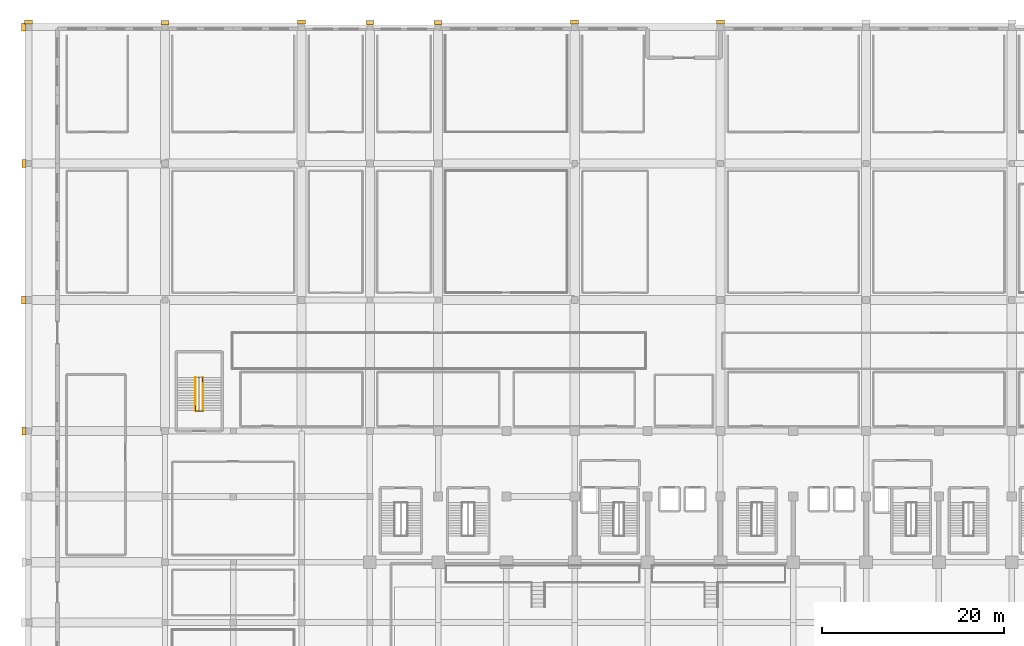
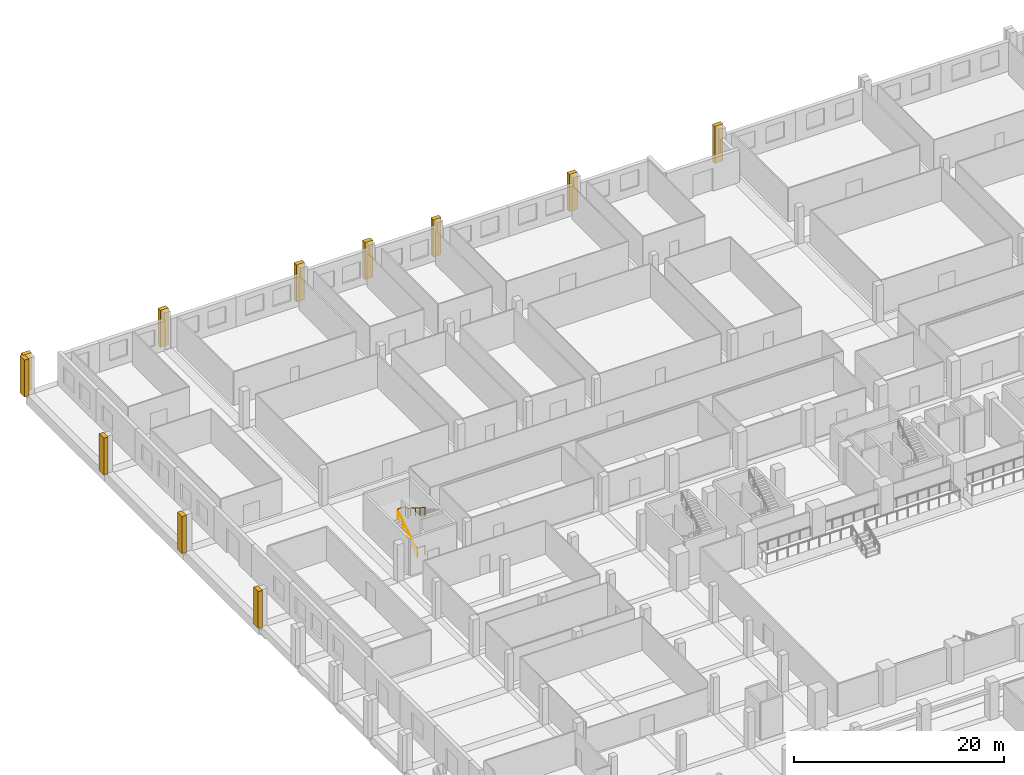
# One storey, part 30 of 33: 11 coverings, 4 railings.
"""IFC4 building model written with IfcOpenShell, lengths in metres."""

from ifc_helpers import new_model, si_unit, direction, frame, origin, origin_2d, place, context, subcontext, project, spatial, rectangle, circle, extrude, material, layer, layer_set, type_object, element, save


model = new_model("IFC4")

# Units and contexts
model_context = context("Model", 3, precision=1e-05, world=origin(), true_north=direction((0.0, 1.0)))
body_context = subcontext(model_context, "Body", "Model", "MODEL_VIEW")
ifc_project = project(units=[si_unit("LENGTHUNIT", "METRE"), si_unit("AREAUNIT", "SQUARE_METRE"), si_unit("VOLUMEUNIT", "CUBIC_METRE"), si_unit("PLANEANGLEUNIT", "RADIAN"), si_unit("MASSUNIT", "GRAM", prefix="KILO")], contexts=[model_context])

# Site, building, storey
site_placement = place(None, origin())
site = spatial("IfcSite", under=ifc_project, at=site_placement, CompositionType="ELEMENT")
building_placement = place(site_placement, origin())
building = spatial("IfcBuilding", under=site, at=building_placement, Name="Akrevak Sports Hall", CompositionType="ELEMENT")
storey_placement = place(building_placement, origin())
storey = spatial("IfcBuildingStorey", under=building, at=storey_placement, Name="L00", CompositionType="ELEMENT", Elevation=0.0)

# Coverings
ifc_material_1 = material(Name="Limestone Ashlar", Category="stone")
ifc_layer_1 = layer(ifc_material_1, 0.47998046875, Name="Limestone Ashlar")
ifc_layer_set_1 = layer_set([ifc_layer_1], Name="Limestone Ashlar")
covering_type = type_object("IfcCoveringType", Name="ARC-COV-PIL-LIM", PredefinedType="CLADDING", material=ifc_layer_set_1)
for number, where, z_axis, x_axis, name in (
    (1, (0.0, 114.52490234375, 0.0), (0.0, 0.0, 1.0), (-1.0, 0.0, 0.0), "Giant-Order Limestone Pilaster L00-03-26"),
    (2, (15.0, 114.47509765625, 0.0), (0.0, 0.0, 1.0), (-1.0, 0.0, 0.0), "Giant-Order Limestone Pilaster L00-03-27"),
    (3, (30.0, 114.52490234375, 0.0), (0.0, 0.0, 1.0), (-1.0, 0.0, 0.0), "Giant-Order Limestone Pilaster L00-03-28"),
    (4, (37.5, 114.47509765625, 0.0), (0.0, 0.0, 1.0), (-1.0, 0.0, 0.0), "Giant-Order Limestone Pilaster L00-03-29"),
    (5, (45.0, 114.47509765625, 0.0), (0.0, 0.0, 1.0), (-1.0, 0.0, 0.0), "Giant-Order Limestone Pilaster L00-03-30"),
    (6, (60.0, 114.52490234375, 0.0), (0.0, 0.0, 1.0), (-1.0, 0.0, 0.0), "Giant-Order Limestone Pilaster L00-03-31"),
    (7, (76.0, 114.52490234375, 0.0), (0.0, 0.0, 1.0), (-1.0, 0.0, 0.0), "Giant-Order Limestone Pilaster L00-03-32"),
    (8, (-0.47509765625, 69.60009765625, 0.0), (0.0, 0.0, 1.0), (0.0, -1.0, 0.0), "Giant-Order Limestone Pilaster L00-04-47"),
    (9, (-0.52490234375, 84.0, 0.0), (0.0, 0.0, 1.0), (0.0, -1.0, 0.0), "Giant-Order Limestone Pilaster L00-04-48"),
    (10, (-0.47509765625, 99.0, 0.0), (0.0, 0.0, 1.0), (0.0, -1.0, 0.0), "Giant-Order Limestone Pilaster L00-04-49"),
    (11, (-0.52490234375, 114.0, 0.0), (0.0, 0.0, 1.0), (0.0, -1.0, 0.0), "Giant-Order Limestone Pilaster L00-04-49"),
):
    element("IfcCovering", number, at=place(storey_placement, frame(where, z_axis=z_axis, x_axis=x_axis)), inside=storey, type_object=covering_type, Name=name, PredefinedType="CLADDING", context=body_context, shape_type="SweptSolid", body=[
        extrude(rectangle(XDim=0.8798828125, YDim=0.4599609375, at=origin_2d()), origin(), (0.0, 0.0, 1.0), 4.300048828125),
    ])

# Railings
ifc_material_2 = material(Name="Painted Architectural Balustrade Steel", Category="steel")
ifc_layer_2 = layer(ifc_material_2, 0.06005859375, Name="Painted Architectural Balustrade Steel")
ifc_layer_set_2 = layer_set([ifc_layer_2], Name="Painted Architectural Balustrade Steel")
railing_type_1 = type_object("IfcRailingType", Name="ARC-RL-GRD-1120", PredefinedType="GUARDRAIL", material=ifc_layer_set_2)
railing_1_placement = place(storey_placement, frame((18.360107421875, 72.3701171875, 0.0)))
element("IfcRailing", 12, at=railing_1_placement, inside=storey, type_object=railing_type_1, Name="Stair Floor Landing Well Guard ST6 (L00)", PredefinedType="GUARDRAIL", context=body_context, shape_type="SweptSolid", body=[
    extrude(circle(Radius=0.02392578125, at=origin_2d()), frame((0.0, 0.0, 1.09619140625), z_axis=(0.0, -1.0, 0.0), x_axis=(1.0, 0.0, 0.0)), (0.0, 0.0, 1.0), 0.550048828125),
    extrude(circle(Radius=0.02392578125, at=origin_2d()), frame((0.0, -0.550048828125, 1.09619140625), z_axis=(1.0, 0.0, 0.0), x_axis=(0.0, 1.0, 0.0)), (0.0, 0.0, 1.0), 0.809814453125),
    extrude(circle(Radius=0.02099609375, at=origin_2d()), origin(), (0.0, 0.0, 1.0), 1.072021484375),
    extrude(circle(Radius=0.02099609375, at=origin_2d()), frame((0.0, -0.550048828125, 0.0)), (0.0, 0.0, 1.0), 1.072021484375),
    extrude(circle(Radius=0.02099609375, at=origin_2d()), frame((0.809814453125, -0.550048828125, 0.0)), (0.0, 0.0, 1.0), 1.072021484375),
])
railing_2_placement = place(storey_placement, frame((18.330078125, 75.52001953125, 2.300048828125)))
element("IfcRailing", 13, at=railing_2_placement, inside=storey, type_object=railing_type_1, Name="Stair Landing Well Guard ST6-L00-1", PredefinedType="GUARDRAIL", context=body_context, shape_type="SweptSolid", body=[
    extrude(circle(Radius=0.02392578125, at=origin_2d()), frame((0.0, 0.0, 1.09619140625), z_axis=(1.0, 0.0, 0.0), x_axis=(0.0, 1.0, 0.0)), (0.0, 0.0, 1.0), 0.809814453125),
    extrude(circle(Radius=0.02392578125, at=origin_2d()), frame((0.809814453125, 0.0, 1.09619140625), z_axis=(0.0, -1.0, 0.0), x_axis=(1.0, 0.0, 0.0)), (0.0, 0.0, 1.0), 0.52001953125),
    extrude(circle(Radius=0.02099609375, at=origin_2d()), origin(), (0.0, 0.0, 1.0), 1.072021484375),
    extrude(circle(Radius=0.02099609375, at=origin_2d()), frame((0.809814453125, 0.0, 0.0)), (0.0, 0.0, 1.0), 1.072021484375),
    extrude(circle(Radius=0.02099609375, at=origin_2d()), frame((0.809814453125, -0.52001953125, 0.0)), (0.0, 0.0, 1.0), 1.072021484375),
])
ifc_material_3 = material(Name="Brushed Stainless Steel 304", Category="steel")
ifc_layer_3 = layer(ifc_material_3, 0.050048828125, Name="Brushed Stainless Steel 304")
ifc_layer_set_3 = layer_set([ifc_layer_3], Name="Brushed Stainless Steel 304")
railing_type_2 = type_object("IfcRailingType", Name="ARC-RL-HND-900", PredefinedType="HANDRAIL", material=ifc_layer_set_3)
railing_3_placement = place(storey_placement, frame((18.330078125, 71.85009765625, 0.0)))
element("IfcRailing", 14, at=railing_3_placement, inside=storey, type_object=railing_type_2, Name="Stair Handrail ST6-L00-F1", PredefinedType="HANDRAIL", context=body_context, shape_type="SweptSolid", body=[
    extrude(circle(Radius=0.02392578125, at=origin_2d()), frame((0.0, 0.0, 0.8759765625), z_axis=(0.0, 0.845366270244, 0.534187110602), x_axis=(-1.0, 0.0, 0.0)), (0.0, 0.0, 1.0), 4.3056640625),
    extrude(circle(Radius=0.02099609375, at=origin_2d()), origin(), (0.0, 0.0, 1.0), 0.851806640625),
    extrude(circle(Radius=0.02099609375, at=origin_2d()), frame((0.0, 0.909912109375, 0.574951171875)), (0.0, 0.0, 1.0), 0.851806640625),
    extrude(circle(Radius=0.02099609375, at=origin_2d()), frame((0.0, 1.81982421875, 1.14990234375)), (0.0, 0.0, 1.0), 0.851806640625),
    extrude(circle(Radius=0.02099609375, at=origin_2d()), frame((0.0, 2.72998046875, 1.72509765625)), (0.0, 0.0, 1.0), 0.851806640625),
    extrude(circle(Radius=0.02099609375, at=origin_2d()), frame((0.0, 3.639892578125, 2.300048828125)), (0.0, 0.0, 1.0), 0.851806640625),
])
railing_4_placement = place(storey_placement, frame((19.169921875, 75.489990234375, 2.300048828125)))
element("IfcRailing", 15, at=railing_4_placement, inside=storey, type_object=railing_type_2, Name="Stair Handrail ST6-L00-F2", PredefinedType="HANDRAIL", context=body_context, shape_type="SweptSolid", body=[
    extrude(circle(Radius=0.02392578125, at=origin_2d()), frame((0.0, 0.0, 0.8759765625), z_axis=(0.0, -0.845366270244, 0.534187110602), x_axis=(1.0, 0.0, 0.0)), (0.0, 0.0, 1.0), 4.3056640625),
    extrude(circle(Radius=0.02099609375, at=origin_2d()), origin(), (0.0, 0.0, 1.0), 0.851806640625),
    extrude(circle(Radius=0.02099609375, at=origin_2d()), frame((0.0, -0.909912109375, 0.574951171875)), (0.0, 0.0, 1.0), 0.851806640625),
    extrude(circle(Radius=0.02099609375, at=origin_2d()), frame((0.0, -1.81982421875, 1.14990234375)), (0.0, 0.0, 1.0), 0.851806640625),
    extrude(circle(Radius=0.02099609375, at=origin_2d()), frame((0.0, -2.72998046875, 1.72509765625)), (0.0, 0.0, 1.0), 0.851806640625),
    extrude(circle(Radius=0.02099609375, at=origin_2d()), frame((0.0, -3.639892578125, 2.300048828125)), (0.0, 0.0, 1.0), 0.851806640625),
])

save(model, "model.ifc")
